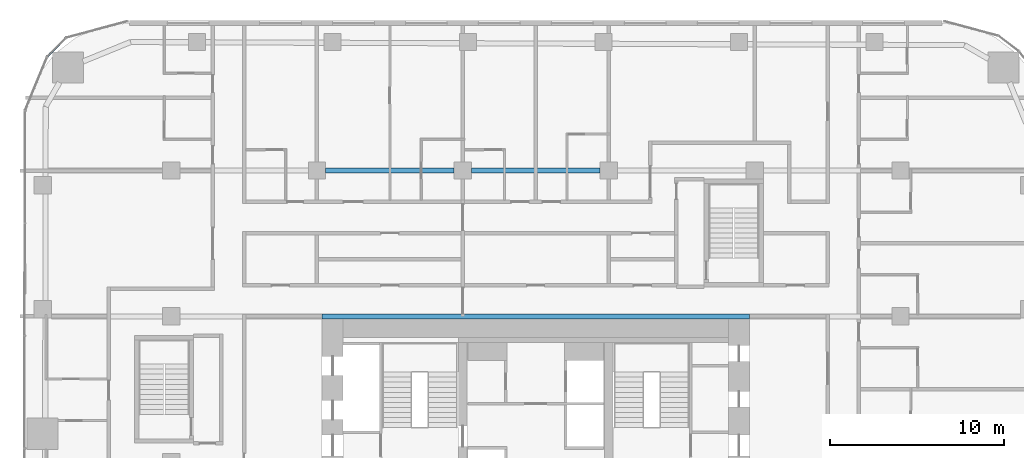
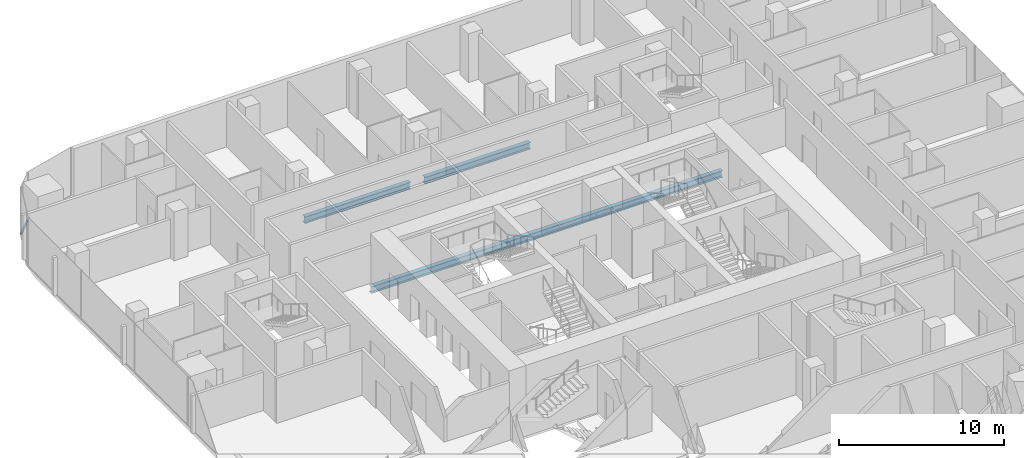
# One storey, part 9 of 26: 3 beams, 1 member, 1 element without a shape of its own.
"""IFC4 building model written with IfcOpenShell, lengths in metres."""

from ifc_helpers import new_model, si_unit, direction, frame, origin, origin_2d, place, context, subcontext, project, spatial, rectangle, i_section, extrude, material, layer, layer_set, material_profile, profile_set, type_object, element, aggregate, save


model = new_model("IFC4")

# Units and contexts
model_context = context("Model", 3, precision=1e-05, world=origin(), true_north=direction((0.0, 1.0)))
body_context = subcontext(model_context, "Body", "Model", "MODEL_VIEW")
ifc_project = project(units=[si_unit("LENGTHUNIT", "METRE"), si_unit("AREAUNIT", "SQUARE_METRE"), si_unit("VOLUMEUNIT", "CUBIC_METRE"), si_unit("PLANEANGLEUNIT", "RADIAN"), si_unit("MASSUNIT", "GRAM", prefix="KILO")], contexts=[model_context])

# Site, building, storey
site_placement = place(None, origin())
site = spatial("IfcSite", under=ifc_project, at=site_placement, CompositionType="ELEMENT")
building_placement = place(site_placement, origin())
building = spatial("IfcBuilding", under=site, at=building_placement, Name="Marenta Gate Hotel Tower", CompositionType="ELEMENT")
storey_placement = place(building_placement, frame((0.0, 0.0, 79.699951171875)))
storey = spatial("IfcBuildingStorey", under=building, at=storey_placement, Name="L18", CompositionType="ELEMENT", Elevation=79.699951171875)

# Beams
ifc_material_1 = material(Name="Steel S355", Category="steel")
ifc_material_profile_1 = material_profile(ifc_material_1, i_section(OverallWidth=0.300048828125, OverallDepth=0.5, WebThickness=0.014404296875, FlangeThickness=0.028076171875, FilletRadius=0.027099609375, at=origin_2d()), Name="HEB 500")
ifc_profile_set_1 = profile_set([ifc_material_profile_1], Name="Steel S355")
beam_type = type_object("IfcBeamType", Name="Girder HEB 500", PredefinedType="BEAM", material=ifc_profile_set_1)
beam_1_placement = place(storey_placement, frame((-12.300048828125, 16.800048828125, -0.510009765625), z_axis=(1.0, 0.0, 0.0), x_axis=(0.0, 1.0, 0.0)))
element("IfcBeam", 1, at=beam_1_placement, inside=storey, type_object=beam_type, Name="L18-GD-19", PredefinedType="BEAM", context=body_context, shape_type="SweptSolid", body=[
    extrude(i_section(OverallWidth=0.300048828125, OverallDepth=0.5, WebThickness=0.014404296875, FlangeThickness=0.028076171875, FilletRadius=0.027099609375, at=origin_2d()), origin(), (0.0, 0.0, 1.0), 24.60009765625),
])
beam_2_placement = place(storey_placement, frame((-12.10009765625, 25.199951171875, -0.510009765625), z_axis=(1.0, 0.0, 0.0), x_axis=(0.0, 1.0, 0.0)))
element("IfcBeam", 2, at=beam_2_placement, inside=storey, type_object=beam_type, Name="L18-GD-24", PredefinedType="BEAM", context=body_context, shape_type="SweptSolid", body=[
    extrude(i_section(OverallWidth=0.300048828125, OverallDepth=0.5, WebThickness=0.014404296875, FlangeThickness=0.028076171875, FilletRadius=0.027099609375, at=origin_2d()), origin(), (0.0, 0.0, 1.0), 7.400146484375),
])
beam_3_placement = place(storey_placement, frame((-3.699951171875, 25.199951171875, -0.510009765625), z_axis=(1.0, 0.0, 0.0), x_axis=(0.0, 1.0, 0.0)))
element("IfcBeam", 3, at=beam_3_placement, inside=storey, type_object=beam_type, Name="L18-GD-25", PredefinedType="BEAM", context=body_context, shape_type="SweptSolid", body=[
    extrude(i_section(OverallWidth=0.300048828125, OverallDepth=0.5, WebThickness=0.014404296875, FlangeThickness=0.028076171875, FilletRadius=0.027099609375, at=origin_2d()), origin(), (0.0, 0.0, 1.0), 7.39990234375),
])

# Curtain wall, member
ifc_material_2 = material(Name="Tinted insulated glass in bronze anodised frame", Category="glass")
ifc_layer = layer(ifc_material_2, 0.1201171875)
ifc_layer_set = layer_set([ifc_layer], Name="Tinted insulated glass in bronze anodised frame")
curtain_wall_type = type_object("IfcCurtainWallType", Name="Tower unitised curtain wall CW1", PredefinedType="NOTDEFINED", material=ifc_layer_set)
curtain_wall_placement = place(storey_placement, origin())
curtain_wall = element("IfcCurtainWall", 4, at=curtain_wall_placement, inside=storey, type_object=curtain_wall_type, Name="CW1 run G01", PredefinedType="NOTDEFINED")
ifc_material_3 = material(Name="Bronze anodised aluminium", Category="aluminium")
ifc_material_profile_2 = material_profile(ifc_material_3, rectangle(XDim=0.1201171875, YDim=0.06005859375, at=origin_2d()), Name="Transom CW1 60x120 bronze anodised aluminium")
ifc_profile_set_2 = profile_set([ifc_material_profile_2], Name="Bronze anodised aluminium")
member_type = type_object("IfcMemberType", Name="Transom CW1 60x120 bronze anodised aluminium", PredefinedType="USERDEFINED", material=ifc_profile_set_2)
member_placement = place(storey_placement, frame((-27.082275390625, 32.80859375, 0.030029296875), z_axis=(-0.707106781187, -0.707106781187, 0.0), x_axis=(0.707106781187, -0.707106781187, 0.0)))
member = element("IfcMember", 5, at=member_placement, type_object=member_type, Name="CW1 transom 1.1", ObjectType="TRANSOM", PredefinedType="USERDEFINED", context=body_context, shape_type="SweptSolid", body=[
    extrude(rectangle(XDim=0.1201171875, YDim=0.06005859375, at=origin_2d()), origin(), (0.0, 0.0, 1.0), 1.48291015625),
])
aggregate(curtain_wall, [member])

save(model, "model.ifc")
